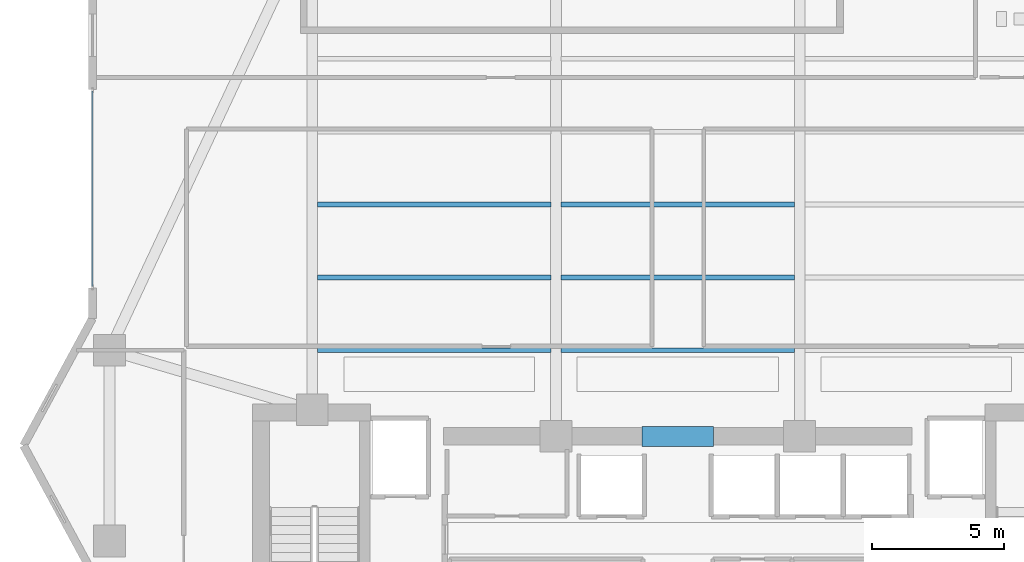
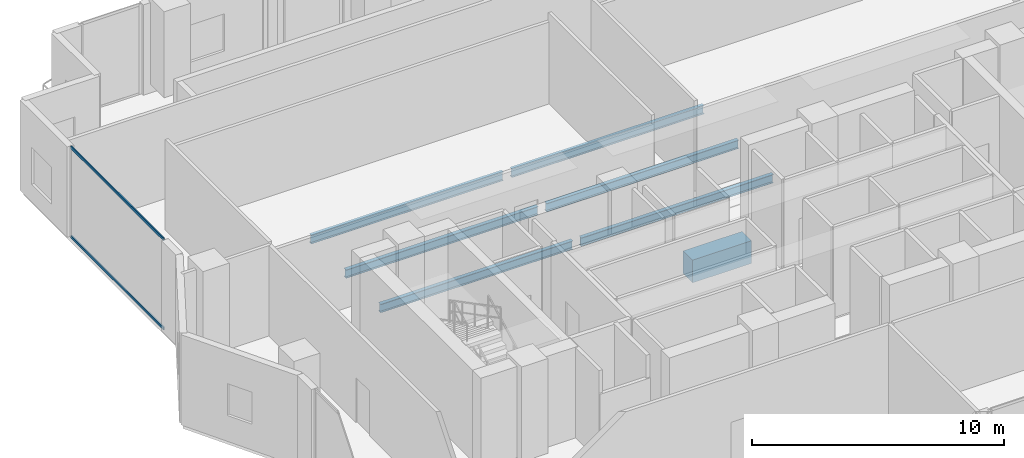
# One storey, part 9 of 33: 7 beams, 2 members, 1 element without a shape of its own.
"""IFC4 building model written with IfcOpenShell, lengths in metres."""

from ifc_helpers import new_model, si_unit, direction, frame, origin, origin_2d, place, context, subcontext, project, spatial, rectangle, hollow_rectangle, i_section, extrude, material, layer, layer_set, material_profile, profile_set, type_object, element, aggregate, save


model = new_model("IFC4")

# Units and contexts
model_context = context("Model", 3, precision=1e-05, world=origin(), true_north=direction((0.0, 1.0)))
body_context = subcontext(model_context, "Body", "Model", "MODEL_VIEW")
ifc_project = project(units=[si_unit("LENGTHUNIT", "METRE"), si_unit("AREAUNIT", "SQUARE_METRE"), si_unit("VOLUMEUNIT", "CUBIC_METRE"), si_unit("PLANEANGLEUNIT", "RADIAN"), si_unit("MASSUNIT", "GRAM", prefix="KILO")], contexts=[model_context])

# Site, building, storey
site_placement = place(None, origin())
site = spatial("IfcSite", under=ifc_project, at=site_placement, CompositionType="ELEMENT")
building_placement = place(site_placement, origin())
building = spatial("IfcBuilding", under=site, at=building_placement, Name="Zuhayl Quay Hotel", CompositionType="ELEMENT")
storey_placement = place(building_placement, frame((0.0, 0.0, 168.199951171875)))
storey = spatial("IfcBuildingStorey", under=building, at=storey_placement, Name="L42", CompositionType="ELEMENT", Elevation=168.199951171875)

# Beams
ifc_material_1 = material(Name="Concrete C60/75", Category="concrete")
ifc_material_profile_1 = material_profile(ifc_material_1, rectangle(XDim=0.75, YDim=1.10009765625, at=origin_2d()), Name="RC750X1100")
ifc_profile_set_1 = profile_set([ifc_material_profile_1], Name="Concrete C60/75")
beam_type_1 = type_object("IfcBeamType", Name="BM_CB2_RC750", PredefinedType="T_BEAM", material=ifc_profile_set_1)
beam_placement = place(storey_placement, frame((-1.35009765625, 13.35009765625, -0.81005859375), z_axis=(1.0, 0.0, 0.0), x_axis=(0.0, 1.0, 0.0)))
element("IfcBeam", 1, at=beam_placement, inside=storey, type_object=beam_type_1, Name="L42 Core Coupling Beam North", PredefinedType="T_BEAM", context=body_context, shape_type="SweptSolid", body=[
    extrude(rectangle(XDim=0.75, YDim=1.10009765625, at=origin_2d()), origin(), (0.0, 0.0, 1.0), 2.7001953125),
])
ifc_material_2 = material(Name="Steel ASTM A992 Grade 50", Category="steel")
ifc_material_profile_2 = material_profile(ifc_material_2, i_section(OverallWidth=0.177978515625, OverallDepth=0.406005859375, WebThickness=0.0078125, FlangeThickness=0.0126953125, at=origin_2d()), Name="W16X40")
ifc_profile_set_2 = profile_set([ifc_material_profile_2], Name="Steel ASTM A992 Grade 50")
beam_type_2 = type_object("IfcBeamType", Name="BM_J2B_W16X40", PredefinedType="JOIST", material=ifc_profile_set_2)
for number, where, z_axis, x_axis, name in (
    (2, (-13.60595703125, 16.60009765625, -0.462890625), (1.0, 0.0, 0.0), (0.0, 1.0, 0.0), "L42 Floor Beam FJ_L42_1_1"),
    (3, (-4.406005859375, 16.60009765625, -0.462890625), (1.0, 0.0, 0.0), (0.0, 1.0, 0.0), "L42 Floor Beam FJ_L42_1_2"),
    (4, (-13.60595703125, 19.35009765625, -0.462890625), (1.0, 0.0, 0.0), (0.0, 1.0, 0.0), "L42 Floor Beam FJ_L42_2_1"),
    (5, (-4.406005859375, 19.35009765625, -0.462890625), (1.0, 0.0, 0.0), (0.0, 1.0, 0.0), "L42 Floor Beam FJ_L42_2_2"),
    (6, (-13.60595703125, 22.10009765625, -0.462890625), (1.0, 0.0, 0.0), (0.0, 1.0, 0.0), "L42 Floor Beam FJ_L42_3_1"),
    (7, (-4.406005859375, 22.10009765625, -0.462890625), (1.0, 0.0, 0.0), (0.0, 1.0, 0.0), "L42 Floor Beam FJ_L42_3_2"),
):
    element("IfcBeam", number, at=place(storey_placement, frame(where, z_axis=z_axis, x_axis=x_axis)), inside=storey, type_object=beam_type_2, Name=name, PredefinedType="JOIST", context=body_context, shape_type="SweptSolid", body=[
        extrude(i_section(OverallWidth=0.177978515625, OverallDepth=0.406005859375, WebThickness=0.0078125, FlangeThickness=0.0126953125, at=origin_2d()), origin(), (0.0, 0.0, 1.0), 8.81201171875),
    ])

# Curtain wall, members
ifc_material_3 = material(Name="Anodised Aluminium 6063-T6", Category="aluminium")
ifc_layer = layer(ifc_material_3, 0.175048828125, Name="Anodised Aluminium 6063-T6", Category="aluminium")
ifc_layer_set = layer_set([ifc_layer], Name="Anodised Aluminium 6063-T6")
curtain_wall_type = type_object("IfcCurtainWallType", Name="CW_SYS_Z3", PredefinedType="USERDEFINED", material=ifc_layer_set)
curtain_wall_placement = place(storey_placement, origin())
curtain_wall = element("IfcCurtainWall", 8, at=curtain_wall_placement, inside=storey, type_object=curtain_wall_type, Name="L42 Curtain Wall ENV_L42_E05_CW1", ObjectType="UNITISED CURTAIN WALL", PredefinedType="USERDEFINED")
ifc_material_4 = material(Name="Black-anodised aluminium 6063-T6", Category="aluminium")
ifc_material_profile_3 = material_profile(ifc_material_4, hollow_rectangle(XDim=0.054931640625, YDim=0.1298828125, WallThickness=0.0029296875, at=origin_2d()), Name="ALU130X55")
ifc_profile_set_3 = profile_set([ifc_material_profile_3], Name="Black-anodised aluminium 6063-T6")
member_type = type_object("IfcMemberType", Name="MB_CW_TRN_130", PredefinedType="USERDEFINED", material=ifc_profile_set_3)
member_1_placement = place(storey_placement, frame((-22.10009765625, 19.014892578125, 0.027587890625), z_axis=(0.0, 1.0, 0.0), x_axis=(-1.0, 0.0, 0.0)))
member_1 = element("IfcMember", 9, at=member_1_placement, type_object=member_type, Name="CW-Z3 transom 1.1", ObjectType="TRANSOM", PredefinedType="USERDEFINED", context=body_context, shape_type="SweptSolid", body=[
    extrude(hollow_rectangle(XDim=0.054931640625, YDim=0.1298828125, WallThickness=0.0029296875, at=origin_2d()), origin(), (0.0, 0.0, 1.0), 7.3701171875),
])
member_2_placement = place(storey_placement, frame((-22.10009765625, 19.014892578125, 4.3525390625), z_axis=(0.0, 1.0, 0.0), x_axis=(-1.0, 0.0, 0.0)))
member_2 = element("IfcMember", 10, at=member_2_placement, type_object=member_type, Name="CW-Z3 transom 1.2", ObjectType="TRANSOM", PredefinedType="USERDEFINED", context=body_context, shape_type="SweptSolid", body=[
    extrude(hollow_rectangle(XDim=0.054931640625, YDim=0.1298828125, WallThickness=0.0029296875, at=origin_2d()), origin(), (0.0, 0.0, 1.0), 7.3701171875),
])
aggregate(curtain_wall, [member_1, member_2])

save(model, "model.ifc")
